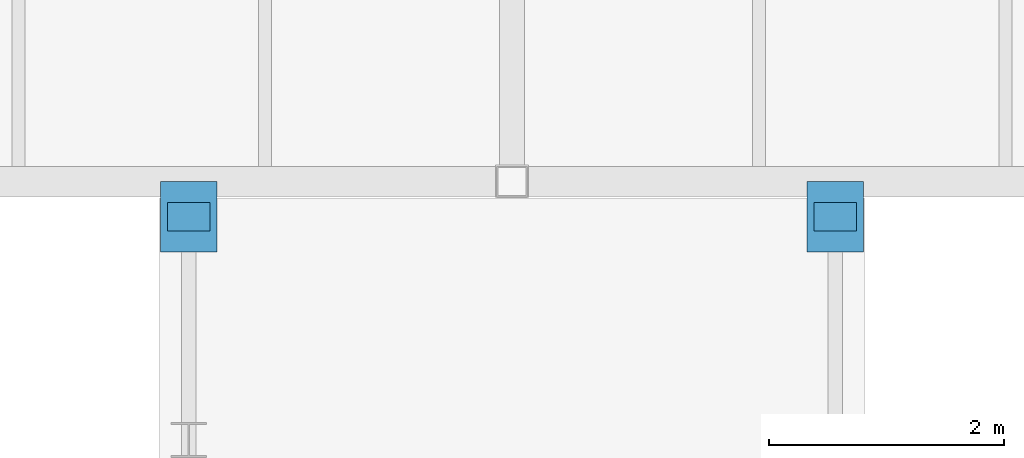
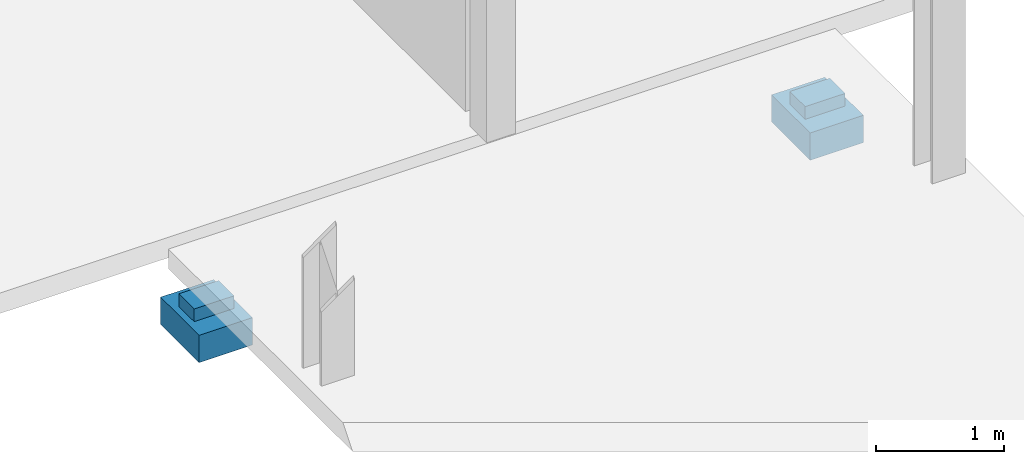
# One storey, part 174 of 189: 4 discrete accessories.
"""IFC4 building model written with IfcOpenShell, lengths in metres."""

from ifc_helpers import new_model, si_unit, direction, frame, origin, origin_2d, place, context, subcontext, project, spatial, rectangle, extrude, material, type_object, element, save


model = new_model("IFC4")

# Units and contexts
model_context = context("Model", 3, precision=1e-05, world=origin(), true_north=direction((0.0, 1.0)))
body_context = subcontext(model_context, "Body", "Model", "MODEL_VIEW")
ifc_project = project(units=[si_unit("LENGTHUNIT", "METRE"), si_unit("AREAUNIT", "SQUARE_METRE"), si_unit("VOLUMEUNIT", "CUBIC_METRE"), si_unit("PLANEANGLEUNIT", "RADIAN"), si_unit("MASSUNIT", "GRAM", prefix="KILO")], contexts=[model_context])

# Site, building, storey
site_placement = place(None, origin())
site = spatial("IfcSite", under=ifc_project, at=site_placement, CompositionType="ELEMENT")
building_placement = place(site_placement, origin())
building = spatial("IfcBuilding", under=site, at=building_placement, Name="Montecoro Central Library", CompositionType="ELEMENT")
storey_placement = place(building_placement, frame((0.0, 0.0, 9.179931640625)))
storey = spatial("IfcBuildingStorey", under=building, at=storey_placement, Name="L02", CompositionType="ELEMENT", Elevation=9.179931640625)

# Discrete accessories
ifc_material_1 = material(Name="Steel S355 and PTFE elastomer", Category="steel")
discrete_accessory_type_1 = type_object("IfcDiscreteAccessoryType", Name="BRG-SLIDE-02", PredefinedType="USERDEFINED", material=ifc_material_1)
for number, where, z_axis, x_axis, name in (
    (1, (88.85009765625, 80.699951171875, -0.544921875), (0.0, 0.0, 1.0), (1.0, 0.0, 0.0), "BR-N-L02-BRG-WB"),
    (2, (94.35009765625, 80.699951171875, -0.544921875), (0.0, 0.0, 1.0), (1.0, 0.0, 0.0), "BR-N-L02-BRG-EB"),
):
    element("IfcDiscreteAccessory", number, at=place(storey_placement, frame(where, z_axis=z_axis, x_axis=x_axis)), inside=storey, type_object=discrete_accessory_type_1, Name=name, ObjectType="FREE SLIDING BEARING", PredefinedType="USERDEFINED", context=body_context, shape_type="SweptSolid", body=[
        extrude(rectangle(XDim=0.360107421875, YDim=0.239990234375, at=origin_2d()), origin(), (0.0, 0.0, 1.0), 0.1201171875),
    ])
ifc_material_2 = material(Name="Steel S355", Category="steel")
discrete_accessory_type_2 = type_object("IfcDiscreteAccessoryType", Name="CORBEL-SEAT-600", PredefinedType="BRACKET", material=ifc_material_2)
for number, where, z_axis, x_axis, name in (
    (3, (88.85009765625, 80.699951171875, -0.80517578125), (0.0, 0.0, 1.0), (1.0, 0.0, 0.0), "BR-N-L02-SEAT-WB"),
    (4, (94.35009765625, 80.699951171875, -0.80517578125), (0.0, 0.0, 1.0), (1.0, 0.0, 0.0), "BR-N-L02-SEAT-EB"),
):
    element("IfcDiscreteAccessory", number, at=place(storey_placement, frame(where, z_axis=z_axis, x_axis=x_axis)), inside=storey, type_object=discrete_accessory_type_2, Name=name, PredefinedType="BRACKET", context=body_context, shape_type="SweptSolid", body=[
        extrude(rectangle(XDim=0.47998046875, YDim=0.60009765625, at=origin_2d()), origin(), (0.0, 0.0, 1.0), 0.260009765625),
    ])

save(model, "model.ifc")
